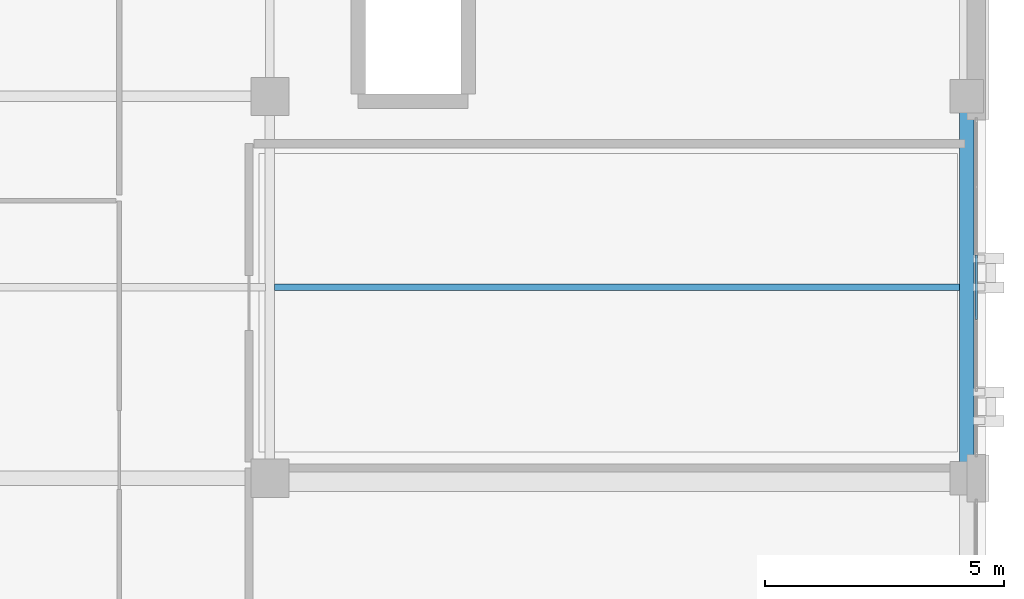
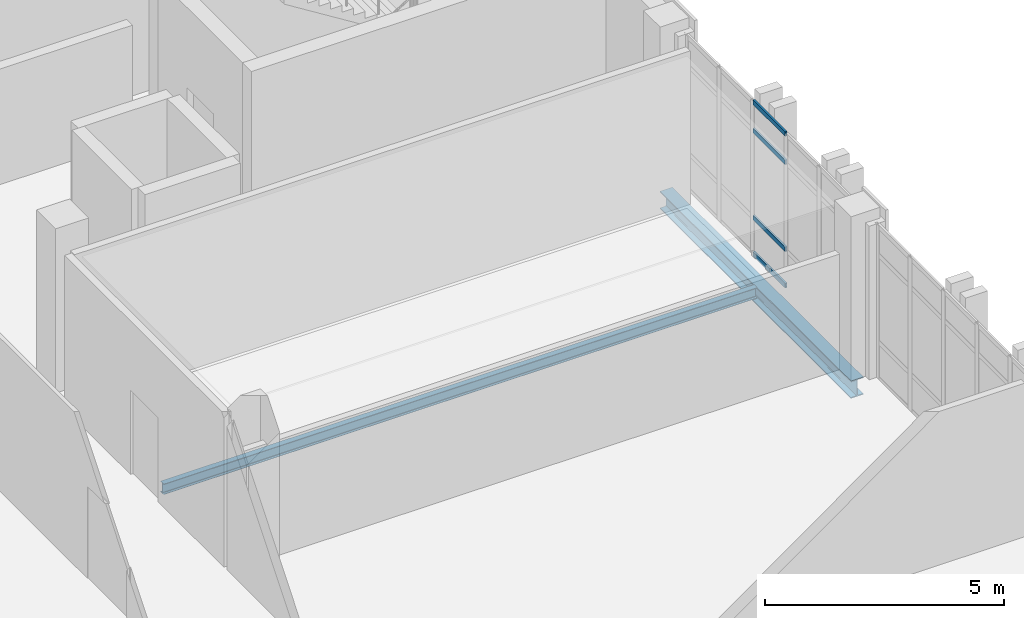
# One storey, part 62 of 158: 4 members, 2 beams, 1 element without a shape of its own.
"""IFC4 building model written with IfcOpenShell, lengths in metres."""

from ifc_helpers import new_model, si_unit, direction, frame, origin, origin_2d, place, context, subcontext, project, spatial, hollow_rectangle, i_section, extrude, material, layer, layer_set, material_profile, profile_set, type_object, element, aggregate, save


model = new_model("IFC4")

# Units and contexts
model_context = context("Model", 3, precision=1e-05, world=origin(), true_north=direction((0.0, 1.0)))
body_context = subcontext(model_context, "Body", "Model", "MODEL_VIEW")
ifc_project = project(units=[si_unit("LENGTHUNIT", "METRE"), si_unit("AREAUNIT", "SQUARE_METRE"), si_unit("VOLUMEUNIT", "CUBIC_METRE"), si_unit("PLANEANGLEUNIT", "RADIAN"), si_unit("MASSUNIT", "GRAM", prefix="KILO")], contexts=[model_context])

# Site, building, storey
site_placement = place(None, origin())
site = spatial("IfcSite", under=ifc_project, at=site_placement, CompositionType="ELEMENT")
building_placement = place(site_placement, origin())
building = spatial("IfcBuilding", under=site, at=building_placement, Name="Qalavern Law Courts", CompositionType="ELEMENT")
storey_placement = place(building_placement, frame((0.0, 0.0, 18.60009765625)))
storey = spatial("IfcBuildingStorey", under=building, at=storey_placement, Name="L04", CompositionType="ELEMENT", Elevation=18.60009765625)

# Curtain wall, members
ifc_material_1 = material(Name="Anodised aluminium and insulated glazing", Category="aluminium")
ifc_layer = layer(ifc_material_1, 0.159912109375)
ifc_layer_set = layer_set([ifc_layer], Name="Anodised aluminium and insulated glazing")
curtain_wall_type = type_object("IfcCurtainWallType", Name="ENV-CW-CHAMB", PredefinedType="USERDEFINED", material=ifc_layer_set)
curtain_wall_placement = place(storey_placement, origin())
curtain_wall = element("IfcCurtainWall", 1, at=curtain_wall_placement, inside=storey, type_object=curtain_wall_type, Name="V4 unitised curtain wall L04 east 3", ObjectType="UNITISED CURTAIN WALL", PredefinedType="USERDEFINED")
ifc_material_2 = material(Name="Anodised aluminium", Category="aluminium")
ifc_material_profile_1 = material_profile(ifc_material_2, hollow_rectangle(XDim=0.048095703125, YDim=0.1201171875, WallThickness=0.00390625, at=origin_2d()), Name="ALU TRANSOM 48x120")
ifc_profile_set_1 = profile_set([ifc_material_profile_1], Name="Anodised aluminium")
member_type = type_object("IfcMemberType", Name="ENV-CWT-48x120", PredefinedType="USERDEFINED", material=ifc_profile_set_1)
member_1_placement = place(storey_placement, frame((106.60009765625, 60.72412109375, 0.02392578125), z_axis=(0.0, 1.0, 0.0), x_axis=(-1.0, 0.0, 0.0)))
member_1 = element("IfcMember", 2, at=member_1_placement, type_object=member_type, Name="CW-04 transom 3.1", ObjectType="TRANSOM", PredefinedType="USERDEFINED", context=body_context, shape_type="SweptSolid", body=[
    extrude(hollow_rectangle(XDim=0.048095703125, YDim=0.1201171875, WallThickness=0.00390625, at=origin_2d()), origin(), (0.0, 0.0, 1.0), 1.351806640625),
])
member_2_placement = place(storey_placement, frame((106.60009765625, 60.72412109375, 0.949951171875), z_axis=(0.0, 1.0, 0.0), x_axis=(-1.0, 0.0, 0.0)))
member_2 = element("IfcMember", 3, at=member_2_placement, type_object=member_type, Name="CW-04 transom 3.2", ObjectType="TRANSOM", PredefinedType="USERDEFINED", context=body_context, shape_type="SweptSolid", body=[
    extrude(hollow_rectangle(XDim=0.048095703125, YDim=0.1201171875, WallThickness=0.00390625, at=origin_2d()), origin(), (0.0, 0.0, 1.0), 1.351806640625),
])
member_3_placement = place(storey_placement, frame((106.60009765625, 60.72412109375, 3.1748046875), z_axis=(0.0, 1.0, 0.0), x_axis=(-1.0, 0.0, 0.0)))
member_3 = element("IfcMember", 4, at=member_3_placement, type_object=member_type, Name="CW-04 transom 3.3", ObjectType="TRANSOM", PredefinedType="USERDEFINED", context=body_context, shape_type="SweptSolid", body=[
    extrude(hollow_rectangle(XDim=0.048095703125, YDim=0.1201171875, WallThickness=0.00390625, at=origin_2d()), origin(), (0.0, 0.0, 1.0), 1.351806640625),
])
member_4_placement = place(storey_placement, frame((106.60009765625, 60.72412109375, 3.90087890625), z_axis=(0.0, 1.0, 0.0), x_axis=(-1.0, 0.0, 0.0)))
member_4 = element("IfcMember", 5, at=member_4_placement, type_object=member_type, Name="CW-04 transom 3.4", ObjectType="TRANSOM", PredefinedType="USERDEFINED", context=body_context, shape_type="SweptSolid", body=[
    extrude(hollow_rectangle(XDim=0.048095703125, YDim=0.1201171875, WallThickness=0.00390625, at=origin_2d()), origin(), (0.0, 0.0, 1.0), 1.351806640625),
])
aggregate(curtain_wall, [member_1, member_2, member_3, member_4])

# Beams
ifc_material_3 = material(Name="Steel S355", Category="steel")
ifc_material_profile_2 = material_profile(ifc_material_3, i_section(OverallWidth=0.135009765625, OverallDepth=0.27001953125, WebThickness=0.006591796875, FlangeThickness=0.01025390625, FilletRadius=0.014892578125, at=origin_2d()), Name="IPE 270")
ifc_profile_set_2 = profile_set([ifc_material_profile_2], Name="Steel S355")
beam_type_1 = type_object("IfcBeamType", Name="STR-JST-IPE270", PredefinedType="JOIST", material=ifc_profile_set_2)
beam_1_placement = place(storey_placement, frame((91.89794921875, 61.39990234375, -0.4150390625), z_axis=(1.0, 0.0, 0.0), x_axis=(0.0, 1.0, 0.0)))
element("IfcBeam", 6, at=beam_1_placement, inside=storey, type_object=beam_type_1, Name="V4 secondary joist 2.3.1 L04", PredefinedType="JOIST", context=body_context, shape_type="SweptSolid", body=[
    extrude(i_section(OverallWidth=0.135009765625, OverallDepth=0.27001953125, WebThickness=0.006591796875, FlangeThickness=0.01025390625, FilletRadius=0.014892578125, at=origin_2d()), origin(), (0.0, 0.0, 1.0), 14.35400390625),
])
ifc_material_profile_3 = material_profile(ifc_material_3, i_section(OverallWidth=0.300048828125, OverallDepth=0.449951171875, WebThickness=0.013916015625, FlangeThickness=0.02587890625, FilletRadius=0.027099609375, at=origin_2d()), Name="HEB 450")
ifc_profile_set_3 = profile_set([ifc_material_profile_3], Name="Steel S355")
beam_type_2 = type_object("IfcBeamType", Name="STR-SP-HEB450", PredefinedType="SPANDREL", material=ifc_profile_set_3)
beam_2_placement = place(storey_placement, frame((106.39990234375, 57.39990234375, -0.505126953125), z_axis=(0.0, 1.0, 0.0), x_axis=(-1.0, 0.0, 0.0)))
element("IfcBeam", 7, at=beam_2_placement, inside=storey, type_object=beam_type_2, Name="V4 Y-beam 3-3 L04", PredefinedType="SPANDREL", context=body_context, shape_type="SweptSolid", body=[
    extrude(i_section(OverallWidth=0.300048828125, OverallDepth=0.449951171875, WebThickness=0.013916015625, FlangeThickness=0.02587890625, FilletRadius=0.027099609375, at=origin_2d()), origin(), (0.0, 0.0, 1.0), 8.0),
])

save(model, "model.ifc")
